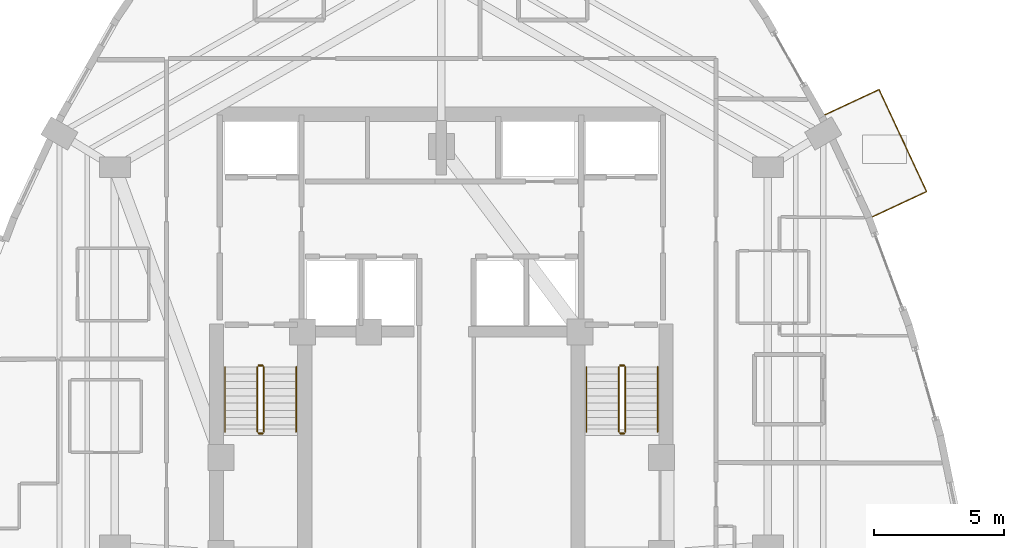
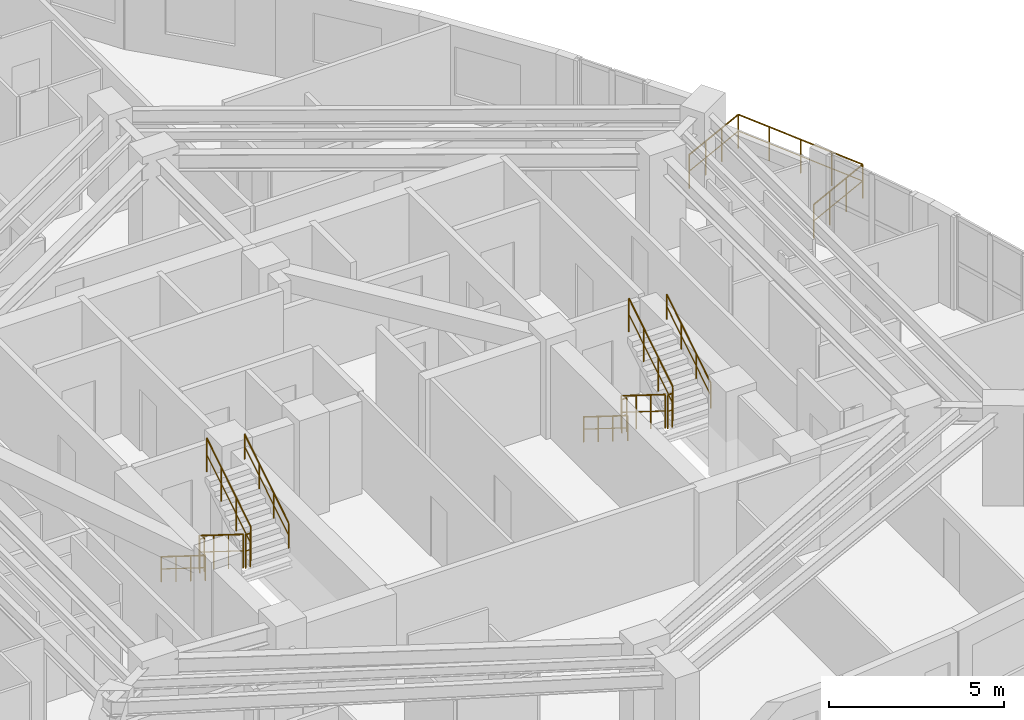
# One storey, part 14 of 14: 13 railings.
"""IFC4 building model written with IfcOpenShell, lengths in metres."""

from ifc_helpers import new_model, si_unit, direction, frame, origin, origin_2d, place, context, subcontext, project, spatial, circle, extrude, material, type_object, element, save


model = new_model("IFC4")

# Units and contexts
model_context = context("Model", 3, precision=1e-05, world=origin(), true_north=direction((0.0, 1.0)))
body_context = subcontext(model_context, "Body", "Model", "MODEL_VIEW")
ifc_project = project(units=[si_unit("LENGTHUNIT", "METRE"), si_unit("AREAUNIT", "SQUARE_METRE"), si_unit("VOLUMEUNIT", "CUBIC_METRE"), si_unit("PLANEANGLEUNIT", "RADIAN"), si_unit("MASSUNIT", "GRAM", prefix="KILO")], contexts=[model_context])

# Site, building, storey
site_placement = place(None, origin())
site = spatial("IfcSite", under=ifc_project, at=site_placement, CompositionType="ELEMENT")
building_placement = place(site_placement, origin())
building = spatial("IfcBuilding", under=site, at=building_placement, Name="Miruveldt Soraemaru", CompositionType="ELEMENT")
storey_placement = place(building_placement, frame((0.0, 0.0, 142.39990234375)))
storey = spatial("IfcBuildingStorey", under=building, at=storey_placement, Name="L39", CompositionType="ELEMENT", Elevation=142.39990234375)

# Railings
ifc_material_1 = material(Name="Anodised aluminium EN AW-6063 T6", Category="aluminium")
railing_type_1 = type_object("IfcRailingType", Name="RAIL-BAL-1200", PredefinedType="BALUSTRADE", material=ifc_material_1)
railing_1_placement = place(storey_placement, frame((60.507080078125, 48.425537109375, 0.0)))
element("IfcRailing", 1, at=railing_1_placement, inside=storey, type_object=railing_type_1, Name="L39 Sky Garden Deck Guardrail", PredefinedType="BALUSTRADE", context=body_context, shape_type="SweptSolid", body=[
    extrude(circle(Radius=0.02392578125, at=origin_2d()), frame((0.0, 0.0, 1.17578125), z_axis=(0.906442648563, 0.422328929706, 0.0), x_axis=(-0.422328929706, 0.906442648563, 0.0)), (0.0, 0.0, 1.0), 2.449951171875),
    extrude(circle(Radius=0.01611328125, at=origin_2d()), frame((0.0, 0.0, 0.60009765625), z_axis=(0.906442648563, 0.422328929706, 0.0), x_axis=(-0.422328929706, 0.906442648563, 0.0)), (0.0, 0.0, 1.0), 2.449951171875),
    extrude(circle(Radius=0.02392578125, at=origin_2d()), frame((2.220703125, 1.03466796875, 1.17578125), z_axis=(-0.422316239157, 0.906448561224, 0.0), x_axis=(-0.906448561224, -0.422316239157, 0.0)), (0.0, 0.0, 1.0), 4.344482421875),
    extrude(circle(Radius=0.01611328125, at=origin_2d()), frame((2.220703125, 1.03466796875, 0.60009765625), z_axis=(-0.422316239157, 0.906448561224, 0.0), x_axis=(-0.906448561224, -0.422316239157, 0.0)), (0.0, 0.0, 1.0), 4.344482421875),
    extrude(circle(Radius=0.02392578125, at=origin_2d()), frame((0.385986328125, 4.97265625, 1.17578125), z_axis=(-0.906480795284, -0.422247045912, 0.0), x_axis=(0.422247045912, -0.906480795284, 0.0)), (0.0, 0.0, 1.0), 2.44970703125),
    extrude(circle(Radius=0.01611328125, at=origin_2d()), frame((0.385986328125, 4.97265625, 0.60009765625), z_axis=(-0.906480795284, -0.422247045912, 0.0), x_axis=(0.422247045912, -0.906480795284, 0.0)), (0.0, 0.0, 1.0), 2.44970703125),
    extrude(circle(Radius=0.02099609375, at=origin_2d()), origin(), (0.0, 0.0, 1.0), 1.15185546875),
    extrude(circle(Radius=0.02099609375, at=origin_2d()), frame((0.740234375, 0.344970703125, 0.0)), (0.0, 0.0, 1.0), 1.15185546875),
    extrude(circle(Radius=0.02099609375, at=origin_2d()), frame((1.48046875, 0.689697265625, 0.0)), (0.0, 0.0, 1.0), 1.15185546875),
    extrude(circle(Radius=0.02099609375, at=origin_2d()), frame((2.220703125, 1.03466796875, 0.0)), (0.0, 0.0, 1.0), 1.15185546875),
    extrude(circle(Radius=0.02099609375, at=origin_2d()), frame((1.761962890625, 2.01904296875, 0.0)), (0.0, 0.0, 1.0), 1.15185546875),
    extrude(circle(Radius=0.02099609375, at=origin_2d()), frame((1.30322265625, 3.003662109375, 0.0)), (0.0, 0.0, 1.0), 1.15185546875),
    extrude(circle(Radius=0.02099609375, at=origin_2d()), frame((0.8447265625, 3.98828125, 0.0)), (0.0, 0.0, 1.0), 1.15185546875),
    extrude(circle(Radius=0.02099609375, at=origin_2d()), frame((0.385986328125, 4.97265625, 0.0)), (0.0, 0.0, 1.0), 1.15185546875),
    extrude(circle(Radius=0.02099609375, at=origin_2d()), frame((-0.354248046875, 4.6279296875, 0.0)), (0.0, 0.0, 1.0), 1.15185546875),
    extrude(circle(Radius=0.02099609375, at=origin_2d()), frame((-1.094482421875, 4.282958984375, 0.0)), (0.0, 0.0, 1.0), 1.15185546875),
    extrude(circle(Radius=0.02099609375, at=origin_2d()), frame((-1.834716796875, 3.938232421875, 0.0)), (0.0, 0.0, 1.0), 1.15185546875),
])
ifc_material_2 = material(Name="Steel S355 (355 MPa)", Category="steel")
railing_type_2 = type_object("IfcRailingType", Name="RAIL-HR-900", PredefinedType="HANDRAIL", material=ifc_material_2)
railing_2_placement = place(storey_placement, frame((35.64990234375, 42.699951171875, 0.175048828125)))
element("IfcRailing", 2, at=railing_2_placement, inside=storey, type_object=railing_type_2, Name="L39 ST-1 stair handrail 1", PredefinedType="HANDRAIL", context=body_context, shape_type="SweptSolid", body=[
    extrude(circle(Radius=0.02392578125, at=origin_2d()), frame((0.0, 0.0, 0.8759765625), z_axis=(0.0, -0.848007534815, 0.529984170421), x_axis=(1.0, 0.0, 0.0)), (0.0, 0.0, 1.0), 2.9716796875),
    extrude(circle(Radius=0.01611328125, at=origin_2d()), frame((0.0, 0.0, 0.449951171875), z_axis=(0.0, -0.848007534815, 0.529984170421), x_axis=(1.0, 0.0, 0.0)), (0.0, 0.0, 1.0), 2.9716796875),
    extrude(circle(Radius=0.02099609375, at=origin_2d()), origin(), (0.0, 0.0, 1.0), 0.851806640625),
    extrude(circle(Radius=0.02099609375, at=origin_2d()), frame((0.0, -0.840087890625, 0.52490234375)), (0.0, 0.0, 1.0), 0.851806640625),
    extrude(circle(Radius=0.02099609375, at=origin_2d()), frame((0.0, -1.679931640625, 1.050048828125)), (0.0, 0.0, 1.0), 0.851806640625),
    extrude(circle(Radius=0.02099609375, at=origin_2d()), frame((0.0, -2.52001953125, 1.574951171875)), (0.0, 0.0, 1.0), 0.851806640625),
])
railing_3_placement = place(storey_placement, frame((38.39990234375, 40.179931640625, 1.925048828125)))
element("IfcRailing", 3, at=railing_3_placement, inside=storey, type_object=railing_type_2, Name="L39 ST-1 stair handrail 2", PredefinedType="HANDRAIL", context=body_context, shape_type="SweptSolid", body=[
    extrude(circle(Radius=0.02392578125, at=origin_2d()), frame((0.0, 0.0, 0.8759765625), z_axis=(0.0, 0.848007534815, 0.529984170421), x_axis=(-1.0, 0.0, 0.0)), (0.0, 0.0, 1.0), 2.9716796875),
    extrude(circle(Radius=0.01611328125, at=origin_2d()), frame((0.0, 0.0, 0.449951171875), z_axis=(0.0, 0.848007534815, 0.529984170421), x_axis=(-1.0, 0.0, 0.0)), (0.0, 0.0, 1.0), 2.9716796875),
    extrude(circle(Radius=0.02099609375, at=origin_2d()), origin(), (0.0, 0.0, 1.0), 0.851806640625),
    extrude(circle(Radius=0.02099609375, at=origin_2d()), frame((0.0, 0.840087890625, 0.52490234375)), (0.0, 0.0, 1.0), 0.851806640625),
    extrude(circle(Radius=0.02099609375, at=origin_2d()), frame((0.0, 1.679931640625, 1.050048828125)), (0.0, 0.0, 1.0), 0.851806640625),
    extrude(circle(Radius=0.02099609375, at=origin_2d()), frame((0.0, 2.52001953125, 1.574951171875)), (0.0, 0.0, 1.0), 0.851806640625),
])
railing_4_placement = place(storey_placement, frame((49.60009765625, 42.699951171875, 0.175048828125)))
element("IfcRailing", 4, at=railing_4_placement, inside=storey, type_object=railing_type_2, Name="L39 ST-2 stair handrail 1", PredefinedType="HANDRAIL", context=body_context, shape_type="SweptSolid", body=[
    extrude(circle(Radius=0.02392578125, at=origin_2d()), frame((0.0, 0.0, 0.8759765625), z_axis=(0.0, -0.848007534815, 0.529984170421), x_axis=(1.0, 0.0, 0.0)), (0.0, 0.0, 1.0), 2.9716796875),
    extrude(circle(Radius=0.01611328125, at=origin_2d()), frame((0.0, 0.0, 0.449951171875), z_axis=(0.0, -0.848007534815, 0.529984170421), x_axis=(1.0, 0.0, 0.0)), (0.0, 0.0, 1.0), 2.9716796875),
    extrude(circle(Radius=0.02099609375, at=origin_2d()), origin(), (0.0, 0.0, 1.0), 0.851806640625),
    extrude(circle(Radius=0.02099609375, at=origin_2d()), frame((0.0, -0.840087890625, 0.52490234375)), (0.0, 0.0, 1.0), 0.851806640625),
    extrude(circle(Radius=0.02099609375, at=origin_2d()), frame((0.0, -1.679931640625, 1.050048828125)), (0.0, 0.0, 1.0), 0.851806640625),
    extrude(circle(Radius=0.02099609375, at=origin_2d()), frame((0.0, -2.52001953125, 1.574951171875)), (0.0, 0.0, 1.0), 0.851806640625),
])
railing_5_placement = place(storey_placement, frame((52.35009765625, 40.179931640625, 1.925048828125)))
element("IfcRailing", 5, at=railing_5_placement, inside=storey, type_object=railing_type_2, Name="L39 ST-2 stair handrail 2", PredefinedType="HANDRAIL", context=body_context, shape_type="SweptSolid", body=[
    extrude(circle(Radius=0.02392578125, at=origin_2d()), frame((0.0, 0.0, 0.8759765625), z_axis=(0.0, 0.848007534815, 0.529984170421), x_axis=(-1.0, 0.0, 0.0)), (0.0, 0.0, 1.0), 2.9716796875),
    extrude(circle(Radius=0.01611328125, at=origin_2d()), frame((0.0, 0.0, 0.449951171875), z_axis=(0.0, 0.848007534815, 0.529984170421), x_axis=(-1.0, 0.0, 0.0)), (0.0, 0.0, 1.0), 2.9716796875),
    extrude(circle(Radius=0.02099609375, at=origin_2d()), origin(), (0.0, 0.0, 1.0), 0.851806640625),
    extrude(circle(Radius=0.02099609375, at=origin_2d()), frame((0.0, 0.840087890625, 0.52490234375)), (0.0, 0.0, 1.0), 0.851806640625),
    extrude(circle(Radius=0.02099609375, at=origin_2d()), frame((0.0, 1.679931640625, 1.050048828125)), (0.0, 0.0, 1.0), 0.851806640625),
    extrude(circle(Radius=0.02099609375, at=origin_2d()), frame((0.0, 2.52001953125, 1.574951171875)), (0.0, 0.0, 1.0), 0.851806640625),
])
railing_type_3 = type_object("IfcRailingType", Name="RAIL-STGUARD-1200", PredefinedType="GUARDRAIL", material=ifc_material_2)
railing_6_placement = place(storey_placement, frame((36.89990234375, 42.699951171875, 0.175048828125)))
element("IfcRailing", 6, at=railing_6_placement, inside=storey, type_object=railing_type_3, Name="L39 ST-1 stair guard 1", PredefinedType="GUARDRAIL", context=body_context, shape_type="SweptSolid", body=[
    extrude(circle(Radius=0.02392578125, at=origin_2d()), frame((0.0, 0.0, 1.17578125), z_axis=(0.0, -0.848007534815, 0.529984170421), x_axis=(1.0, 0.0, 0.0)), (0.0, 0.0, 1.0), 2.9716796875),
    extrude(circle(Radius=0.01611328125, at=origin_2d()), frame((0.0, 0.0, 0.60009765625), z_axis=(0.0, -0.848007534815, 0.529984170421), x_axis=(1.0, 0.0, 0.0)), (0.0, 0.0, 1.0), 2.9716796875),
    extrude(circle(Radius=0.02099609375, at=origin_2d()), origin(), (0.0, 0.0, 1.0), 1.15185546875),
    extrude(circle(Radius=0.02099609375, at=origin_2d()), frame((0.0, -0.840087890625, 0.52490234375)), (0.0, 0.0, 1.0), 1.15185546875),
    extrude(circle(Radius=0.02099609375, at=origin_2d()), frame((0.0, -1.679931640625, 1.050048828125)), (0.0, 0.0, 1.0), 1.15185546875),
    extrude(circle(Radius=0.02099609375, at=origin_2d()), frame((0.0, -2.52001953125, 1.574951171875)), (0.0, 0.0, 1.0), 1.15185546875),
])
railing_7_placement = place(storey_placement, frame((36.949951171875, 40.1298828125, 1.75)))
element("IfcRailing", 7, at=railing_7_placement, inside=storey, type_object=railing_type_3, Name="L39 ST-1 stair guard 2", PredefinedType="GUARDRAIL", context=body_context, shape_type="SweptSolid", body=[
    extrude(circle(Radius=0.02392578125, at=origin_2d()), frame((0.0, 0.0, 1.17578125), z_axis=(1.0, 0.0, 0.0), x_axis=(0.0, 1.0, 0.0)), (0.0, 0.0, 1.0), 0.150146484375),
    extrude(circle(Radius=0.01611328125, at=origin_2d()), frame((0.0, 0.0, 0.60009765625), z_axis=(1.0, 0.0, 0.0), x_axis=(0.0, 1.0, 0.0)), (0.0, 0.0, 1.0), 0.150146484375),
    extrude(circle(Radius=0.02099609375, at=origin_2d()), origin(), (0.0, 0.0, 1.0), 1.15185546875),
    extrude(circle(Radius=0.02099609375, at=origin_2d()), frame((0.150146484375, 0.0, 0.0)), (0.0, 0.0, 1.0), 1.15185546875),
])
railing_8_placement = place(storey_placement, frame((37.14990234375, 40.179931640625, 1.925048828125)))
element("IfcRailing", 8, at=railing_8_placement, inside=storey, type_object=railing_type_3, Name="L39 ST-1 stair guard 3", PredefinedType="GUARDRAIL", context=body_context, shape_type="SweptSolid", body=[
    extrude(circle(Radius=0.02392578125, at=origin_2d()), frame((0.0, 0.0, 1.17578125), z_axis=(0.0, 0.848007534815, 0.529984170421), x_axis=(-1.0, 0.0, 0.0)), (0.0, 0.0, 1.0), 2.9716796875),
    extrude(circle(Radius=0.01611328125, at=origin_2d()), frame((0.0, 0.0, 0.60009765625), z_axis=(0.0, 0.848007534815, 0.529984170421), x_axis=(-1.0, 0.0, 0.0)), (0.0, 0.0, 1.0), 2.9716796875),
    extrude(circle(Radius=0.02099609375, at=origin_2d()), origin(), (0.0, 0.0, 1.0), 1.15185546875),
    extrude(circle(Radius=0.02099609375, at=origin_2d()), frame((0.0, 0.840087890625, 0.52490234375)), (0.0, 0.0, 1.0), 1.15185546875),
    extrude(circle(Radius=0.02099609375, at=origin_2d()), frame((0.0, 1.679931640625, 1.050048828125)), (0.0, 0.0, 1.0), 1.15185546875),
    extrude(circle(Radius=0.02099609375, at=origin_2d()), frame((0.0, 2.52001953125, 1.574951171875)), (0.0, 0.0, 1.0), 1.15185546875),
])
railing_9_placement = place(storey_placement, frame((36.949951171875, 42.75, 0.0)))
element("IfcRailing", 9, at=railing_9_placement, inside=storey, type_object=railing_type_3, Name="L39 ST-1 stair guard 4", PredefinedType="GUARDRAIL", context=body_context, shape_type="SweptSolid", body=[
    extrude(circle(Radius=0.02392578125, at=origin_2d()), frame((0.0, 0.0, 1.17578125), z_axis=(1.0, 0.0, 0.0), x_axis=(0.0, 1.0, 0.0)), (0.0, 0.0, 1.0), 0.150146484375),
    extrude(circle(Radius=0.01611328125, at=origin_2d()), frame((0.0, 0.0, 0.60009765625), z_axis=(1.0, 0.0, 0.0), x_axis=(0.0, 1.0, 0.0)), (0.0, 0.0, 1.0), 0.150146484375),
    extrude(circle(Radius=0.02099609375, at=origin_2d()), origin(), (0.0, 0.0, 1.0), 1.15185546875),
    extrude(circle(Radius=0.02099609375, at=origin_2d()), frame((0.150146484375, 0.0, 0.0)), (0.0, 0.0, 1.0), 1.15185546875),
])
railing_10_placement = place(storey_placement, frame((50.85009765625, 42.699951171875, 0.175048828125)))
element("IfcRailing", 10, at=railing_10_placement, inside=storey, type_object=railing_type_3, Name="L39 ST-2 stair guard 1", PredefinedType="GUARDRAIL", context=body_context, shape_type="SweptSolid", body=[
    extrude(circle(Radius=0.02392578125, at=origin_2d()), frame((0.0, 0.0, 1.17578125), z_axis=(0.0, -0.848007534815, 0.529984170421), x_axis=(1.0, 0.0, 0.0)), (0.0, 0.0, 1.0), 2.9716796875),
    extrude(circle(Radius=0.01611328125, at=origin_2d()), frame((0.0, 0.0, 0.60009765625), z_axis=(0.0, -0.848007534815, 0.529984170421), x_axis=(1.0, 0.0, 0.0)), (0.0, 0.0, 1.0), 2.9716796875),
    extrude(circle(Radius=0.02099609375, at=origin_2d()), origin(), (0.0, 0.0, 1.0), 1.15185546875),
    extrude(circle(Radius=0.02099609375, at=origin_2d()), frame((0.0, -0.840087890625, 0.52490234375)), (0.0, 0.0, 1.0), 1.15185546875),
    extrude(circle(Radius=0.02099609375, at=origin_2d()), frame((0.0, -1.679931640625, 1.050048828125)), (0.0, 0.0, 1.0), 1.15185546875),
    extrude(circle(Radius=0.02099609375, at=origin_2d()), frame((0.0, -2.52001953125, 1.574951171875)), (0.0, 0.0, 1.0), 1.15185546875),
])
railing_11_placement = place(storey_placement, frame((50.89990234375, 40.1298828125, 1.75)))
element("IfcRailing", 11, at=railing_11_placement, inside=storey, type_object=railing_type_3, Name="L39 ST-2 stair guard 2", PredefinedType="GUARDRAIL", context=body_context, shape_type="SweptSolid", body=[
    extrude(circle(Radius=0.02392578125, at=origin_2d()), frame((0.0, 0.0, 1.17578125), z_axis=(1.0, 0.0, 0.0), x_axis=(0.0, 1.0, 0.0)), (0.0, 0.0, 1.0), 0.150146484375),
    extrude(circle(Radius=0.01611328125, at=origin_2d()), frame((0.0, 0.0, 0.60009765625), z_axis=(1.0, 0.0, 0.0), x_axis=(0.0, 1.0, 0.0)), (0.0, 0.0, 1.0), 0.150146484375),
    extrude(circle(Radius=0.02099609375, at=origin_2d()), origin(), (0.0, 0.0, 1.0), 1.15185546875),
    extrude(circle(Radius=0.02099609375, at=origin_2d()), frame((0.150146484375, 0.0, 0.0)), (0.0, 0.0, 1.0), 1.15185546875),
])
railing_12_placement = place(storey_placement, frame((51.10009765625, 40.179931640625, 1.925048828125)))
element("IfcRailing", 12, at=railing_12_placement, inside=storey, type_object=railing_type_3, Name="L39 ST-2 stair guard 3", PredefinedType="GUARDRAIL", context=body_context, shape_type="SweptSolid", body=[
    extrude(circle(Radius=0.02392578125, at=origin_2d()), frame((0.0, 0.0, 1.17578125), z_axis=(0.0, 0.848007534815, 0.529984170421), x_axis=(-1.0, 0.0, 0.0)), (0.0, 0.0, 1.0), 2.9716796875),
    extrude(circle(Radius=0.01611328125, at=origin_2d()), frame((0.0, 0.0, 0.60009765625), z_axis=(0.0, 0.848007534815, 0.529984170421), x_axis=(-1.0, 0.0, 0.0)), (0.0, 0.0, 1.0), 2.9716796875),
    extrude(circle(Radius=0.02099609375, at=origin_2d()), origin(), (0.0, 0.0, 1.0), 1.15185546875),
    extrude(circle(Radius=0.02099609375, at=origin_2d()), frame((0.0, 0.840087890625, 0.52490234375)), (0.0, 0.0, 1.0), 1.15185546875),
    extrude(circle(Radius=0.02099609375, at=origin_2d()), frame((0.0, 1.679931640625, 1.050048828125)), (0.0, 0.0, 1.0), 1.15185546875),
    extrude(circle(Radius=0.02099609375, at=origin_2d()), frame((0.0, 2.52001953125, 1.574951171875)), (0.0, 0.0, 1.0), 1.15185546875),
])
railing_13_placement = place(storey_placement, frame((50.89990234375, 42.75, 0.0)))
element("IfcRailing", 13, at=railing_13_placement, inside=storey, type_object=railing_type_3, Name="L39 ST-2 stair guard 4", PredefinedType="GUARDRAIL", context=body_context, shape_type="SweptSolid", body=[
    extrude(circle(Radius=0.02392578125, at=origin_2d()), frame((0.0, 0.0, 1.17578125), z_axis=(1.0, 0.0, 0.0), x_axis=(0.0, 1.0, 0.0)), (0.0, 0.0, 1.0), 0.150146484375),
    extrude(circle(Radius=0.01611328125, at=origin_2d()), frame((0.0, 0.0, 0.60009765625), z_axis=(1.0, 0.0, 0.0), x_axis=(0.0, 1.0, 0.0)), (0.0, 0.0, 1.0), 0.150146484375),
    extrude(circle(Radius=0.02099609375, at=origin_2d()), origin(), (0.0, 0.0, 1.0), 1.15185546875),
    extrude(circle(Radius=0.02099609375, at=origin_2d()), frame((0.150146484375, 0.0, 0.0)), (0.0, 0.0, 1.0), 1.15185546875),
])

save(model, "model.ifc")
